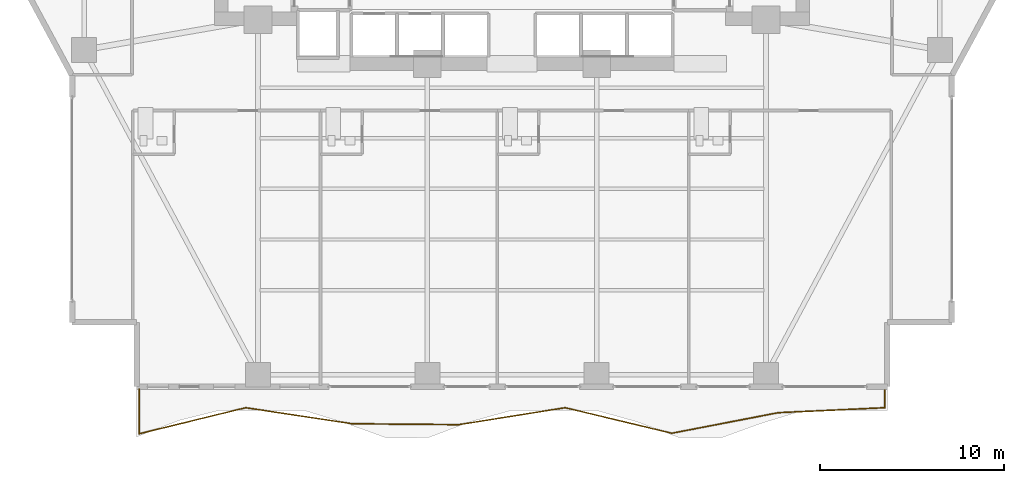
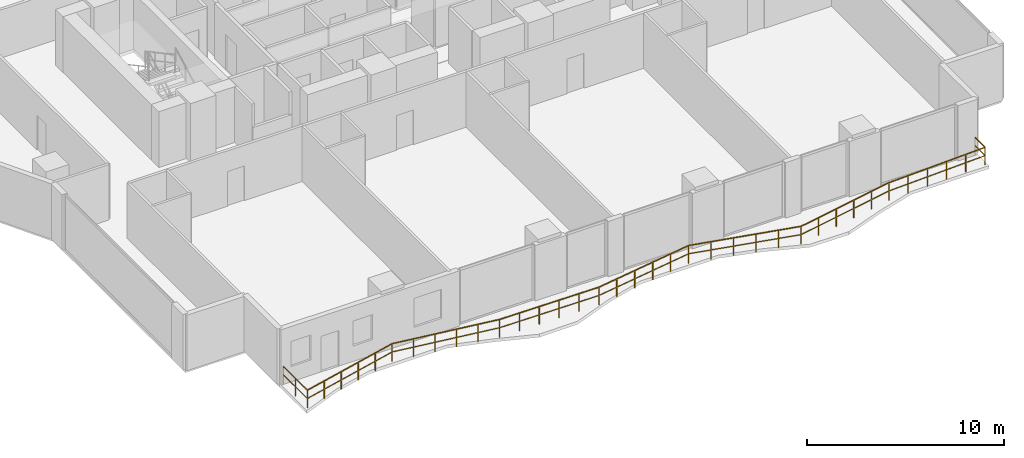
# One storey, part 25 of 28: 1 railing.
"""IFC4 building model written with IfcOpenShell, lengths in metres."""

import ifcopenshell
import ifcopenshell.guid

model = None  # the IFC model being written
_history = None  # IfcOwnerHistory: only IFC2X3 demands one
_inside = {}  # id of a spatial element -> (the spatial element, [elements in it])
_under = {}  # id of a project, library or spatial element -> (it, [spatial elements below it])
_declared = {}  # id of a project -> (the project, [libraries it declares])
_typed = {}  # id of a type object -> (the type object, [elements of that type])
_made_of = {}  # id of a material, layer set ... -> (it, [elements and type objects made of it])


def new_model(schema):
    """Start an empty IFC model of exactly this schema.

    Asked for "IFC4X3", IfcOpenShell would pick the latest addendum, in which some entities
    have other attributes; the version numbers below select the first issue.
    IFC2X3 requires an IfcOwnerHistory on every rooted entity: one is made here for all.
    """
    global model, _history
    if schema == "IFC4X3":
        model = ifcopenshell.file(schema_version=(4, 3, 0, 0))
    else:
        model = ifcopenshell.file(schema=schema)
    _inside.clear()
    _under.clear()
    _declared.clear()
    _typed.clear()
    _made_of.clear()
    _history = None
    if model.schema == "IFC2X3":
        org = make("IfcOrganization", Name="unknown")
        user = make(
            "IfcPersonAndOrganization",
            ThePerson=make("IfcPerson", FamilyName="unknown"),
            TheOrganization=org,
        )
        app = make(
            "IfcApplication",
            ApplicationDeveloper=org,
            Version="unknown",
            ApplicationFullName="unknown",
            ApplicationIdentifier="unknown",
        )
        _history = make(
            "IfcOwnerHistory",
            OwningUser=user,
            OwningApplication=app,
            ChangeAction="ADDED",
            CreationDate=0,
        )
    return model


def make(cls, **values):
    """One entity of the class cls with the attributes given. An attribute that is None is left unset."""
    return model.create_entity(
        cls, **{name: value for name, value in values.items() if value is not None}
    )


def rooted(cls, **values):
    """An entity with a GlobalId (a new one), such as an element, a storey or a relation."""
    return make(cls, GlobalId=ifcopenshell.guid.new(), OwnerHistory=_history, **values)


def si_unit(unit_type, name, prefix=None):
    """IfcSIUnit, for example si_unit("LENGTHUNIT", "METRE", prefix="MILLI")."""
    return make("IfcSIUnit", UnitType=unit_type, Prefix=prefix, Name=name)


def assignment(units):
    """IfcUnitAssignment: the units of a project."""
    return None if units is None else make("IfcUnitAssignment", Units=units)


def point(xyz):
    """IfcCartesianPoint."""
    return None if xyz is None else make("IfcCartesianPoint", Coordinates=xyz)


def direction(xyz):
    """IfcDirection."""
    return None if xyz is None else make("IfcDirection", DirectionRatios=xyz)


def frame(location, z_axis=None, x_axis=None):
    """IfcAxis2Placement3D, a coordinate frame: its origin and axes. An axis left out is left unset."""
    return make(
        "IfcAxis2Placement3D",
        Location=point(location),
        Axis=direction(z_axis),
        RefDirection=direction(x_axis),
    )


def frame_2d(location, x_axis=None):
    """IfcAxis2Placement2D, a coordinate frame in the plane: its origin and x axis."""
    return make(
        "IfcAxis2Placement2D", Location=point(location), RefDirection=direction(x_axis)
    )


def origin():
    """The frame at (0, 0, 0) with its axes left unset."""
    return frame((0.0, 0.0, 0.0))


def origin_2d():
    """The frame at (0, 0) in the plane with its x axis left unset."""
    return frame_2d((0.0, 0.0))


def place(relative_to, where):
    """IfcLocalPlacement: puts the frame where relative to a parent placement (None: the world)."""
    return make(
        "IfcLocalPlacement", PlacementRelTo=relative_to, RelativePlacement=where
    )


def context(
    kind, dimensions, precision=None, world=None, true_north=None, identifier=None
):
    """IfcGeometricRepresentationContext, for example the 3D "Model" context."""
    return make(
        "IfcGeometricRepresentationContext",
        ContextIdentifier=identifier,
        ContextType=kind,
        CoordinateSpaceDimension=dimensions,
        Precision=precision,
        WorldCoordinateSystem=world,
        TrueNorth=true_north,
    )


def subcontext(parent, identifier, kind, view, scale=None):
    """IfcGeometricRepresentationSubContext, for example "Body" below "Model"."""
    return make(
        "IfcGeometricRepresentationSubContext",
        ContextIdentifier=identifier,
        ContextType=kind,
        ParentContext=parent,
        TargetScale=scale,
        TargetView=view,
    )


def project(units=None, contexts=None):
    """IfcProject with its units and contexts."""
    return rooted(
        "IfcProject",
        Name="project",
        RepresentationContexts=contexts,
        UnitsInContext=assignment(units),
    )


def spatial(cls, under=None, at=None, **own):
    """A site, building, storey or space (cls), placed at a placement, below another one or the project."""
    s = rooted(cls, ObjectPlacement=at, **own)
    if under is not None:
        _under.setdefault(under.id(), (under, []))[1].append(s)
    return s


def profile(cls, at=None, kind="AREA", **sizes):
    """A parametric profile (cls). Its sizes go by their IFC names, for example OverallWidth=200.0."""
    return make(cls, ProfileType=kind, Position=at, **sizes)


def rectangle(**sizes):
    """IfcRectangleProfileDef."""
    return profile("IfcRectangleProfileDef", **sizes)


def extrude(swept, where, along, depth):
    """IfcExtrudedAreaSolid: the profile swept, set in the frame where, extruded along a direction by depth."""
    return make(
        "IfcExtrudedAreaSolid",
        SweptArea=swept,
        Position=where,
        ExtrudedDirection=direction(along),
        Depth=depth,
    )


def shape(context_of_items, identifier, shape_type, items):
    """IfcShapeRepresentation: the items that make up one representation, for example the "Body"."""
    return make(
        "IfcShapeRepresentation",
        ContextOfItems=context_of_items,
        RepresentationIdentifier=identifier,
        RepresentationType=shape_type,
        Items=items,
    )


def material(Name=None, Category=None):
    """IfcMaterial."""
    return make("IfcMaterial", Name=Name, Category=Category)


def made_of(thing, what):
    """Note that an element or type object is made of a material, layer set ...; save() writes the relation."""
    if what is not None:
        _made_of.setdefault(what.id(), (what, []))[1].append(thing)
    return thing


def type_object(cls, material=None, **own):
    """A type object (cls), such as IfcWallType, which elements share."""
    return made_of(rooted(cls, **own), material)


def element(
    cls,
    number,
    at=None,
    inside=None,
    cuts=None,
    type_object=None,
    material=None,
    context=None,
    identifier="Body",
    shape_type=None,
    held_by="IfcProductDefinitionShape",
    body=None,
    shapes=None,
    **own,
):
    """One element of the class cls, such as IfcWall. Its Tag is "e" and its number.

    at: its placement. inside: the storey or other place that contains it. cuts: it is an
    opening in that element (IfcRelVoidsElement). A single representation is given by context,
    identifier, shape_type and body (its items); several are given by shapes. held_by: the class
    of the entity that holds the representations. save() writes the other relations.
    """
    e = rooted(cls, Tag="e%d" % number, ObjectPlacement=at, **own)
    if body is not None:
        shapes = [shape(context, identifier, shape_type, body)]
    if shapes is not None:
        e.Representation = make(held_by, Representations=shapes)
    if inside is not None:
        _inside.setdefault(inside.id(), (inside, []))[1].append(e)
    if cuts is not None:
        rooted(
            "IfcRelVoidsElement", RelatingBuildingElement=cuts, RelatedOpeningElement=e
        )
    if type_object is not None:
        _typed.setdefault(type_object.id(), (type_object, []))[1].append(e)
    return made_of(e, material)


def aggregate(whole, parts):
    """IfcRelAggregates: a whole, such as a stair, and the parts it consists of."""
    return rooted("IfcRelAggregates", RelatingObject=whole, RelatedObjects=parts)


def save(model, path):
    """Write the relations noted so far, then the file.

    IfcRelAggregates (storeys below a building ...), IfcRelContainedInSpatialStructure (elements
    in a storey), IfcRelDefinesByType, IfcRelAssociatesMaterial and IfcRelDeclares: one each for
    every whole, place, type object, material and project.
    """
    for whole, parts in _under.values():
        aggregate(whole, parts)
    for where, things in _inside.values():
        rooted(
            "IfcRelContainedInSpatialStructure",
            RelatedElements=things,
            RelatingStructure=where,
        )
    for kind, things in _typed.values():
        rooted("IfcRelDefinesByType", RelatedObjects=things, RelatingType=kind)
    for what, things in _made_of.values():
        rooted("IfcRelAssociatesMaterial", RelatedObjects=things, RelatingMaterial=what)
    for by, libraries in _declared.values():
        rooted("IfcRelDeclares", RelatingContext=by, RelatedDefinitions=libraries)
    model.write(path)


model = new_model("IFC4")

# Units and contexts
model_context = context("Model", 3, precision=1e-05, world=origin(), true_north=direction((0.0, 1.0)))
body_context = subcontext(model_context, "Body", "Model", "MODEL_VIEW")
ifc_project = project(units=[si_unit("LENGTHUNIT", "METRE"), si_unit("AREAUNIT", "SQUARE_METRE"), si_unit("VOLUMEUNIT", "CUBIC_METRE"), si_unit("PLANEANGLEUNIT", "RADIAN"), si_unit("MASSUNIT", "GRAM", prefix="KILO")], contexts=[model_context])

# Site, building, storey
site_placement = place(None, origin())
site = spatial("IfcSite", under=ifc_project, at=site_placement, CompositionType="ELEMENT")
building_placement = place(site_placement, origin())
building = spatial("IfcBuilding", under=site, at=building_placement, Name="Zuhayl Quay Hotel", CompositionType="ELEMENT")
storey_placement = place(building_placement, frame((0.0, 0.0, 139.449951171875)))
storey = spatial("IfcBuildingStorey", under=building, at=storey_placement, Name="L35", CompositionType="ELEMENT", Elevation=139.449951171875)

# Railing
ifc_material = material(Name="Anodised Aluminium and Laminated Glass", Category="aluminium")
railing_type = type_object("IfcRailingType", Name="RL_EXT_BAL_1100", PredefinedType="BALUSTRADE", material=ifc_material)
railing_placement = place(storey_placement, frame((-20.260009765625, -15.52001953125, 0.0)))
element("IfcRailing", 1, at=railing_placement, inside=storey, type_object=railing_type, Name="L35 Balcony and Terrace Guard GR_L35_BAL_S", PredefinedType="BALUSTRADE", context=body_context, shape_type="SweptSolid", body=[
    extrude(rectangle(XDim=0.048095703125, YDim=0.048095703125, at=origin_2d()), frame((0.0, 0.0, 1.09619140625), z_axis=(0.0, -1.0, 0.0), x_axis=(1.0, 0.0, 0.0)), (0.0, 0.0, 1.0), 2.4365234375),
    extrude(rectangle(XDim=0.0361328125, YDim=0.0361328125, at=origin_2d()), frame((0.0, 0.0, 0.58251953125), z_axis=(0.0, -1.0, 0.0), x_axis=(1.0, 0.0, 0.0)), (0.0, 0.0, 1.0), 2.4365234375),
    extrude(rectangle(XDim=0.048095703125, YDim=0.048095703125, at=origin_2d()), frame((0.0, -2.4365234375, 1.09619140625), z_axis=(0.971340178954, 0.237693619498, 0.0), x_axis=(-0.237693619498, 0.971340178954, 0.0)), (0.0, 0.0, 1.0), 5.95947265625),
    extrude(rectangle(XDim=0.0361328125, YDim=0.0361328125, at=origin_2d()), frame((0.0, -2.4365234375, 0.58251953125), z_axis=(0.971340178954, 0.237693619498, 0.0), x_axis=(-0.237693619498, 0.971340178954, 0.0)), (0.0, 0.0, 1.0), 5.95947265625),
    extrude(rectangle(XDim=0.048095703125, YDim=0.048095703125, at=origin_2d()), frame((5.78857421875, -1.02001953125, 1.09619140625), z_axis=(0.988865880685, -0.148809509164, 0.0), x_axis=(0.148809509164, 0.988865880685, 0.0)), (0.0, 0.0, 1.0), 5.853759765625),
    extrude(rectangle(XDim=0.0361328125, YDim=0.0361328125, at=origin_2d()), frame((5.78857421875, -1.02001953125, 0.58251953125), z_axis=(0.988865880685, -0.148809509164, 0.0), x_axis=(0.148809509164, 0.988865880685, 0.0)), (0.0, 0.0, 1.0), 5.853759765625),
    extrude(rectangle(XDim=0.048095703125, YDim=0.048095703125, at=origin_2d()), frame((11.5771484375, -1.89111328125, 1.09619140625), z_axis=(0.999964068479, -0.008477131074, 0.0), x_axis=(0.008477131074, 0.999964068479, 0.0)), (0.0, 0.0, 1.0), 5.788818359375),
    extrude(rectangle(XDim=0.0361328125, YDim=0.0361328125, at=origin_2d()), frame((11.5771484375, -1.89111328125, 0.58251953125), z_axis=(0.999964068479, -0.008477131074, 0.0), x_axis=(0.008477131074, 0.999964068479, 0.0)), (0.0, 0.0, 1.0), 5.788818359375),
    extrude(rectangle(XDim=0.048095703125, YDim=0.048095703125, at=origin_2d()), frame((17.36572265625, -1.940185546875, 1.09619140625), z_axis=(0.98759998161, 0.15699132563, 0.0), x_axis=(-0.15699132563, 0.98759998161, 0.0)), (0.0, 0.0, 1.0), 5.861328125),
    extrude(rectangle(XDim=0.0361328125, YDim=0.0361328125, at=origin_2d()), frame((17.36572265625, -1.940185546875, 0.58251953125), z_axis=(0.98759998161, 0.15699132563, 0.0), x_axis=(-0.15699132563, 0.98759998161, 0.0)), (0.0, 0.0, 1.0), 5.861328125),
    extrude(rectangle(XDim=0.048095703125, YDim=0.048095703125, at=origin_2d()), frame((23.154296875, -1.02001953125, 1.09619140625), z_axis=(0.972521177091, -0.232814432778, 0.0), x_axis=(0.232814432778, 0.972521177091, 0.0)), (0.0, 0.0, 1.0), 5.9521484375),
    extrude(rectangle(XDim=0.0361328125, YDim=0.0361328125, at=origin_2d()), frame((23.154296875, -1.02001953125, 0.58251953125), z_axis=(0.972521177091, -0.232814432778, 0.0), x_axis=(0.232814432778, 0.972521177091, 0.0)), (0.0, 0.0, 1.0), 5.9521484375),
    extrude(rectangle(XDim=0.048095703125, YDim=0.048095703125, at=origin_2d()), frame((28.94287109375, -2.40576171875, 1.09619140625), z_axis=(0.981911207534, 0.189341967138, 0.0), x_axis=(-0.189341967138, 0.981911207534, 0.0)), (0.0, 0.0, 1.0), 5.895263671875),
    extrude(rectangle(XDim=0.0361328125, YDim=0.0361328125, at=origin_2d()), frame((28.94287109375, -2.40576171875, 0.58251953125), z_axis=(0.981911207534, 0.189341967138, 0.0), x_axis=(-0.189341967138, 0.981911207534, 0.0)), (0.0, 0.0, 1.0), 5.895263671875),
    extrude(rectangle(XDim=0.048095703125, YDim=0.048095703125, at=origin_2d()), frame((34.7314453125, -1.28955078125, 1.09619140625), z_axis=(0.998917720193, 0.046512238005, 0.0), x_axis=(-0.046512238005, 0.998917720193, 0.0)), (0.0, 0.0, 1.0), 5.794921875),
    extrude(rectangle(XDim=0.0361328125, YDim=0.0361328125, at=origin_2d()), frame((34.7314453125, -1.28955078125, 0.58251953125), z_axis=(0.998917720193, 0.046512238005, 0.0), x_axis=(-0.046512238005, 0.998917720193, 0.0)), (0.0, 0.0, 1.0), 5.794921875),
    extrude(rectangle(XDim=0.048095703125, YDim=0.048095703125, at=origin_2d()), frame((40.52001953125, -1.02001953125, 1.09619140625), z_axis=(0.0, 1.0, 0.0), x_axis=(-1.0, 0.0, 0.0)), (0.0, 0.0, 1.0), 1.02001953125),
    extrude(rectangle(XDim=0.0361328125, YDim=0.0361328125, at=origin_2d()), frame((40.52001953125, -1.02001953125, 0.58251953125), z_axis=(0.0, 1.0, 0.0), x_axis=(-1.0, 0.0, 0.0)), (0.0, 0.0, 1.0), 1.02001953125),
    extrude(rectangle(XDim=0.0419921875, YDim=0.0419921875, at=origin_2d()), origin(), (0.0, 0.0, 1.0), 1.072021484375),
    extrude(rectangle(XDim=0.0419921875, YDim=0.0419921875, at=origin_2d()), frame((0.0, -1.21826171875, 0.0)), (0.0, 0.0, 1.0), 1.072021484375),
    extrude(rectangle(XDim=0.0419921875, YDim=0.0419921875, at=origin_2d()), frame((0.0, -2.4365234375, 0.0)), (0.0, 0.0, 1.0), 1.072021484375),
    extrude(rectangle(XDim=0.0419921875, YDim=0.0419921875, at=origin_2d()), frame((1.15771484375, -2.1533203125, 0.0)), (0.0, 0.0, 1.0), 1.072021484375),
    extrude(rectangle(XDim=0.0419921875, YDim=0.0419921875, at=origin_2d()), frame((2.3154296875, -1.869873046875, 0.0)), (0.0, 0.0, 1.0), 1.072021484375),
    extrude(rectangle(XDim=0.0419921875, YDim=0.0419921875, at=origin_2d()), frame((3.47314453125, -1.586669921875, 0.0)), (0.0, 0.0, 1.0), 1.072021484375),
    extrude(rectangle(XDim=0.0419921875, YDim=0.0419921875, at=origin_2d()), frame((4.630859375, -1.30322265625, 0.0)), (0.0, 0.0, 1.0), 1.072021484375),
    extrude(rectangle(XDim=0.0419921875, YDim=0.0419921875, at=origin_2d()), frame((5.78857421875, -1.02001953125, 0.0)), (0.0, 0.0, 1.0), 1.072021484375),
    extrude(rectangle(XDim=0.0419921875, YDim=0.0419921875, at=origin_2d()), frame((6.9462890625, -1.1943359375, 0.0)), (0.0, 0.0, 1.0), 1.072021484375),
    extrude(rectangle(XDim=0.0419921875, YDim=0.0419921875, at=origin_2d()), frame((8.10400390625, -1.368408203125, 0.0)), (0.0, 0.0, 1.0), 1.072021484375),
    extrude(rectangle(XDim=0.0419921875, YDim=0.0419921875, at=origin_2d()), frame((9.26171875, -1.542724609375, 0.0)), (0.0, 0.0, 1.0), 1.072021484375),
    extrude(rectangle(XDim=0.0419921875, YDim=0.0419921875, at=origin_2d()), frame((10.41943359375, -1.716796875, 0.0)), (0.0, 0.0, 1.0), 1.072021484375),
    extrude(rectangle(XDim=0.0419921875, YDim=0.0419921875, at=origin_2d()), frame((11.5771484375, -1.89111328125, 0.0)), (0.0, 0.0, 1.0), 1.072021484375),
    extrude(rectangle(XDim=0.0419921875, YDim=0.0419921875, at=origin_2d()), frame((12.73486328125, -1.90087890625, 0.0)), (0.0, 0.0, 1.0), 1.072021484375),
    extrude(rectangle(XDim=0.0419921875, YDim=0.0419921875, at=origin_2d()), frame((13.892578125, -1.91064453125, 0.0)), (0.0, 0.0, 1.0), 1.072021484375),
    extrude(rectangle(XDim=0.0419921875, YDim=0.0419921875, at=origin_2d()), frame((15.05029296875, -1.920654296875, 0.0)), (0.0, 0.0, 1.0), 1.072021484375),
    extrude(rectangle(XDim=0.0419921875, YDim=0.0419921875, at=origin_2d()), frame((16.2080078125, -1.930419921875, 0.0)), (0.0, 0.0, 1.0), 1.072021484375),
    extrude(rectangle(XDim=0.0419921875, YDim=0.0419921875, at=origin_2d()), frame((17.36572265625, -1.940185546875, 0.0)), (0.0, 0.0, 1.0), 1.072021484375),
    extrude(rectangle(XDim=0.0419921875, YDim=0.0419921875, at=origin_2d()), frame((18.5234375, -1.756103515625, 0.0)), (0.0, 0.0, 1.0), 1.072021484375),
    extrude(rectangle(XDim=0.0419921875, YDim=0.0419921875, at=origin_2d()), frame((19.68115234375, -1.572021484375, 0.0)), (0.0, 0.0, 1.0), 1.072021484375),
    extrude(rectangle(XDim=0.0419921875, YDim=0.0419921875, at=origin_2d()), frame((20.8388671875, -1.38818359375, 0.0)), (0.0, 0.0, 1.0), 1.072021484375),
    extrude(rectangle(XDim=0.0419921875, YDim=0.0419921875, at=origin_2d()), frame((21.99658203125, -1.2041015625, 0.0)), (0.0, 0.0, 1.0), 1.072021484375),
    extrude(rectangle(XDim=0.0419921875, YDim=0.0419921875, at=origin_2d()), frame((23.154296875, -1.02001953125, 0.0)), (0.0, 0.0, 1.0), 1.072021484375),
    extrude(rectangle(XDim=0.0419921875, YDim=0.0419921875, at=origin_2d()), frame((24.31201171875, -1.297119140625, 0.0)), (0.0, 0.0, 1.0), 1.072021484375),
    extrude(rectangle(XDim=0.0419921875, YDim=0.0419921875, at=origin_2d()), frame((25.4697265625, -1.57421875, 0.0)), (0.0, 0.0, 1.0), 1.072021484375),
    extrude(rectangle(XDim=0.0419921875, YDim=0.0419921875, at=origin_2d()), frame((26.62744140625, -1.8515625, 0.0)), (0.0, 0.0, 1.0), 1.072021484375),
    extrude(rectangle(XDim=0.0419921875, YDim=0.0419921875, at=origin_2d()), frame((27.78515625, -2.128662109375, 0.0)), (0.0, 0.0, 1.0), 1.072021484375),
    extrude(rectangle(XDim=0.0419921875, YDim=0.0419921875, at=origin_2d()), frame((28.94287109375, -2.40576171875, 0.0)), (0.0, 0.0, 1.0), 1.072021484375),
    extrude(rectangle(XDim=0.0419921875, YDim=0.0419921875, at=origin_2d()), frame((30.1005859375, -2.1826171875, 0.0)), (0.0, 0.0, 1.0), 1.072021484375),
    extrude(rectangle(XDim=0.0419921875, YDim=0.0419921875, at=origin_2d()), frame((31.25830078125, -1.959228515625, 0.0)), (0.0, 0.0, 1.0), 1.072021484375),
    extrude(rectangle(XDim=0.0419921875, YDim=0.0419921875, at=origin_2d()), frame((32.416015625, -1.736083984375, 0.0)), (0.0, 0.0, 1.0), 1.072021484375),
    extrude(rectangle(XDim=0.0419921875, YDim=0.0419921875, at=origin_2d()), frame((33.57373046875, -1.5126953125, 0.0)), (0.0, 0.0, 1.0), 1.072021484375),
    extrude(rectangle(XDim=0.0419921875, YDim=0.0419921875, at=origin_2d()), frame((34.7314453125, -1.28955078125, 0.0)), (0.0, 0.0, 1.0), 1.072021484375),
    extrude(rectangle(XDim=0.0419921875, YDim=0.0419921875, at=origin_2d()), frame((35.88916015625, -1.235595703125, 0.0)), (0.0, 0.0, 1.0), 1.072021484375),
    extrude(rectangle(XDim=0.0419921875, YDim=0.0419921875, at=origin_2d()), frame((37.046875, -1.181640625, 0.0)), (0.0, 0.0, 1.0), 1.072021484375),
    extrude(rectangle(XDim=0.0419921875, YDim=0.0419921875, at=origin_2d()), frame((38.20458984375, -1.1279296875, 0.0)), (0.0, 0.0, 1.0), 1.072021484375),
    extrude(rectangle(XDim=0.0419921875, YDim=0.0419921875, at=origin_2d()), frame((39.3623046875, -1.073974609375, 0.0)), (0.0, 0.0, 1.0), 1.072021484375),
    extrude(rectangle(XDim=0.0419921875, YDim=0.0419921875, at=origin_2d()), frame((40.52001953125, -1.02001953125, 0.0)), (0.0, 0.0, 1.0), 1.072021484375),
    extrude(rectangle(XDim=0.0419921875, YDim=0.0419921875, at=origin_2d()), frame((40.52001953125, 0.0, 0.0)), (0.0, 0.0, 1.0), 1.072021484375),
])

save(model, "model.ifc")
